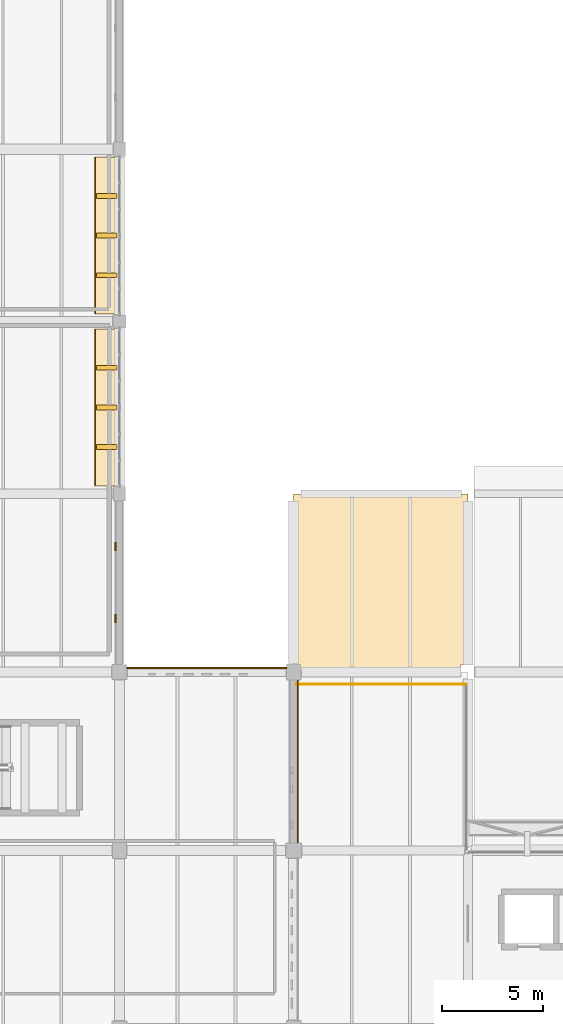
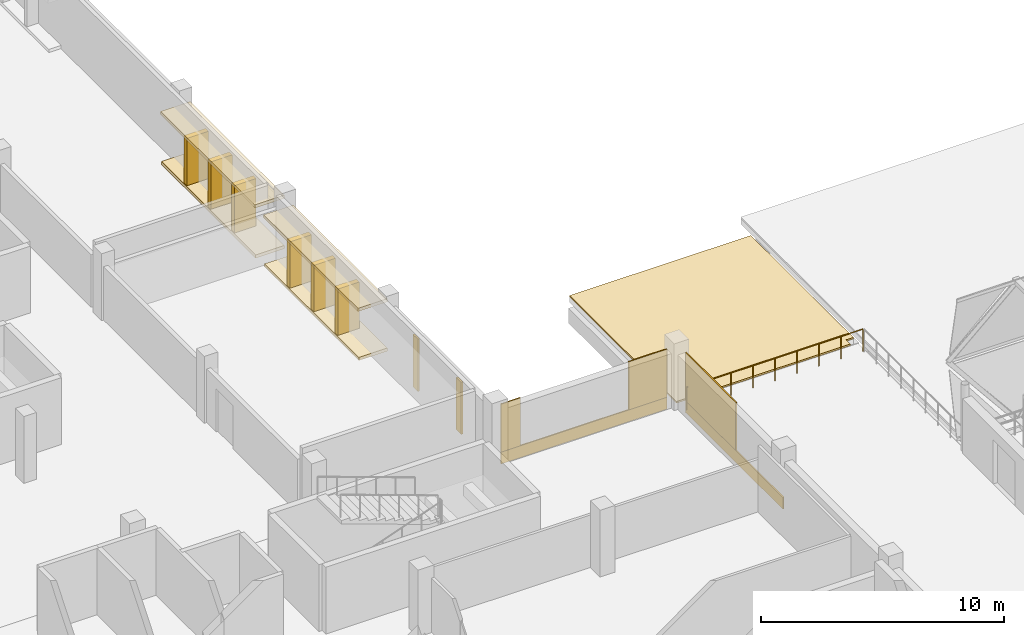
# One storey, part 89 of 93: 12 coverings, 6 shading devices, 1 railing.
"""IFC4 building model written with IfcOpenShell, lengths in metres."""

from ifc_helpers import new_model, si_unit, direction, frame, origin, origin_2d, place, context, subcontext, project, spatial, polyline, rectangle, circle, outline, extrude, material, layer, layer_set, type_object, element, save


model = new_model("IFC4")

# Units and contexts
model_context = context("Model", 3, precision=1e-05, world=origin(), true_north=direction((0.0, 1.0)))
body_context = subcontext(model_context, "Body", "Model", "MODEL_VIEW")
ifc_project = project(units=[si_unit("LENGTHUNIT", "METRE"), si_unit("AREAUNIT", "SQUARE_METRE"), si_unit("VOLUMEUNIT", "CUBIC_METRE"), si_unit("PLANEANGLEUNIT", "RADIAN"), si_unit("MASSUNIT", "GRAM", prefix="KILO")], contexts=[model_context])

# Site, building, storey
site_placement = place(None, origin())
site = spatial("IfcSite", under=ifc_project, at=site_placement, CompositionType="ELEMENT")
building_placement = place(site_placement, origin())
building = spatial("IfcBuilding", under=site, at=building_placement, Name="Varnakota Cinema and Media Centre", CompositionType="ELEMENT")
storey_placement = place(building_placement, frame((0.0, 0.0, 12.0)))
storey = spatial("IfcBuildingStorey", under=building, at=storey_placement, Name="L03", CompositionType="ELEMENT", Elevation=12.0)

# Coverings
ifc_material_1 = material(Name="Precast concrete M40", Category="concrete")
ifc_layer_1 = layer(ifc_material_1, 0.159912109375)
ifc_layer_set_1 = layer_set([ifc_layer_1], Name="Precast concrete M40")
covering_type_1 = type_object("IfcCoveringType", Name="COV-CHAJJA-160", PredefinedType="CLADDING", material=ifc_layer_set_1)
covering_1_placement = place(storey_placement, frame((0.0, 0.0, 2.47509765625)))
element("IfcCovering", 1, at=covering_1_placement, inside=storey, type_object=covering_type_1, Name="L03 Brutalist chajja overhang V5-E-2", PredefinedType="CLADDING", context=body_context, shape_type="SweptSolid", body=[
    extrude(outline(polyline([(34.580078125, 44.389892578125), (34.580078125, 52.135009765625), (33.179931640625, 52.135009765625), (33.179931640625, 44.389892578125), (34.580078125, 44.389892578125)])), origin(), (0.0, 0.0, 1.0), 0.159912109375),
])
covering_2_placement = place(storey_placement, origin())
element("IfcCovering", 2, at=covering_2_placement, inside=storey, type_object=covering_type_1, Name="L03 brise-soleil base plinth V5-E-2", PredefinedType="CLADDING", context=body_context, shape_type="SweptSolid", body=[
    extrude(outline(polyline([(34.580078125, 44.389892578125), (34.580078125, 52.135009765625), (33.219970703125, 52.135009765625), (33.219970703125, 44.389892578125), (34.580078125, 44.389892578125)])), origin(), (0.0, 0.0, 1.0), 0.159912109375),
])
covering_3_placement = place(storey_placement, frame((0.0, 0.0, 2.52490234375)))
element("IfcCovering", 3, at=covering_3_placement, inside=storey, type_object=covering_type_1, Name="L03 Brutalist chajja overhang V5-E-3", PredefinedType="CLADDING", context=body_context, shape_type="SweptSolid", body=[
    extrude(outline(polyline([(34.580078125, 52.864990234375), (34.580078125, 60.610107421875), (33.179931640625, 60.610107421875), (33.179931640625, 52.864990234375), (34.580078125, 52.864990234375)])), origin(), (0.0, 0.0, 1.0), 0.16015625),
])
covering_4_placement = place(storey_placement, origin())
element("IfcCovering", 4, at=covering_4_placement, inside=storey, type_object=covering_type_1, Name="L03 brise-soleil base plinth V5-E-3", PredefinedType="CLADDING", context=body_context, shape_type="SweptSolid", body=[
    extrude(outline(polyline([(34.580078125, 52.864990234375), (34.580078125, 60.610107421875), (33.219970703125, 60.610107421875), (33.219970703125, 52.864990234375), (34.580078125, 52.864990234375)])), origin(), (0.0, 0.0, 1.0), 0.159912109375),
])
ifc_material_2 = material(Name="Pale Tandur limestone cool roof", Category="masonry")
ifc_layer_2 = layer(ifc_material_2, 0.080078125)
ifc_layer_set_2 = layer_set([ifc_layer_2], Name="Pale Tandur limestone cool roof")
covering_type_2 = type_object("IfcCoveringType", Name="COV-COOLROOF-80", PredefinedType="ROOFING", material=ifc_layer_set_2)
covering_5_placement = place(storey_placement, origin())
element("IfcCovering", 5, at=covering_5_placement, inside=storey, type_object=covering_type_2, Name="L03 cool roof membrane ROOF-CHOWK-LINK-W", PredefinedType="ROOFING", context=body_context, shape_type="SweptSolid", body=[
    extrude(outline(polyline([(43.0, 35.219970703125), (51.25, 35.219970703125), (51.25, 35.570068359375), (51.60009765625, 35.570068359375), (51.60009765625, 44.0), (43.0, 44.0), (43.0, 35.219970703125)])), origin(), (0.0, 0.0, 1.0), 0.080078125),
])
ifc_material_3 = material(Name="Pale Tandur limestone cladding", Category="masonry")
ifc_layer_3 = layer(ifc_material_3, 0.06005859375)
ifc_layer_set_3 = layer_set([ifc_layer_3], Name="Pale Tandur limestone cladding")
covering_type_3 = type_object("IfcCoveringType", Name="COV-TANDUR-ASHLAR-60", PredefinedType="CLADDING", material=ifc_layer_set_3)
covering_6_placement = place(storey_placement, frame((43.205078125, 30.78759765625, -0.26025390625), z_axis=(0.0, 0.0, 1.0), x_axis=(0.0, -1.0, 0.0)))
element("IfcCovering", 6, at=covering_6_placement, inside=storey, type_object=covering_type_3, Name="L03 V4 pale Tandur stone spandrel ashlar V4-E-01", PredefinedType="CLADDING", context=body_context, shape_type="SweptSolid", body=[
    extrude(rectangle(XDim=8.02490234375, YDim=0.06005859375, at=origin_2d()), origin(), (0.0, 0.0, 1.0), 0.590087890625),
])
covering_7_placement = place(storey_placement, frame((43.205078125, 32.728759765625, 0.330078125), z_axis=(0.0, 0.0, 1.0), x_axis=(0.0, -1.0, 0.0)))
element("IfcCovering", 7, at=covering_7_placement, inside=storey, type_object=covering_type_3, Name="L03 V4 pale Tandur stone left corner ashlar V4-E-01", PredefinedType="CLADDING", context=body_context, shape_type="SweptSolid", body=[
    extrude(rectangle(XDim=4.142578125, YDim=0.06005859375, at=origin_2d()), origin(), (0.0, 0.0, 1.0), 2.405029296875),
])
covering_8_placement = place(storey_placement, frame((38.71240234375, 35.405029296875, -0.26025390625), z_axis=(0.0, 0.0, 1.0), x_axis=(1.0, 0.0, 0.0)))
element("IfcCovering", 8, at=covering_8_placement, inside=storey, type_object=covering_type_3, Name="L03 V4 pale Tandur stone spandrel ashlar V4-N-01", PredefinedType="CLADDING", context=body_context, shape_type="SweptSolid", body=[
    extrude(rectangle(XDim=7.875, YDim=0.06005859375, at=origin_2d()), origin(), (0.0, 0.0, 1.0), 0.590087890625),
])
covering_9_placement = place(storey_placement, frame((35.233642578125, 35.405029296875, 0.330078125), z_axis=(0.0, 0.0, 1.0), x_axis=(1.0, 0.0, 0.0)))
element("IfcCovering", 9, at=covering_9_placement, inside=storey, type_object=covering_type_3, Name="L03 V4 pale Tandur stone left corner ashlar V4-N-01", PredefinedType="CLADDING", context=body_context, shape_type="SweptSolid", body=[
    extrude(rectangle(XDim=0.91748046875, YDim=0.06005859375, at=origin_2d()), origin(), (0.0, 0.0, 1.0), 2.405029296875),
])
covering_10_placement = place(storey_placement, frame((41.7412109375, 35.405029296875, 0.330078125), z_axis=(0.0, 0.0, 1.0), x_axis=(1.0, 0.0, 0.0)))
element("IfcCovering", 10, at=covering_10_placement, inside=storey, type_object=covering_type_3, Name="L03 V4 pale Tandur stone right corner ashlar V4-N-01", PredefinedType="CLADDING", context=body_context, shape_type="SweptSolid", body=[
    extrude(rectangle(XDim=1.8173828125, YDim=0.06005859375, at=origin_2d()), origin(), (0.0, 0.0, 1.0), 2.405029296875),
])
for number, where, z_axis, x_axis, name in (
    (11, (34.215087890625, 37.8359375, 0.06005859375), (0.0, 0.0, 1.0), (0.0, 1.0, 0.0), "L03 acoustic studio stone relief pilaster V5-E-1.1"),
    (12, (34.215087890625, 41.388916015625, 0.06005859375), (0.0, 0.0, 1.0), (0.0, 1.0, 0.0), "L03 acoustic studio stone relief pilaster V5-E-1.2"),
):
    element("IfcCovering", number, at=place(storey_placement, frame(where, z_axis=z_axis, x_axis=x_axis)), inside=storey, type_object=covering_type_3, Name=name, PredefinedType="CLADDING", context=body_context, shape_type="SweptSolid", body=[
        extrude(rectangle(XDim=0.419921875, YDim=0.080078125, at=origin_2d()), origin(), (0.0, 0.0, 1.0), 2.614990234375),
    ])

# Railing
ifc_material_4 = material(Name="Anodised golden-bronze steel Grade 350 (E350)", Category="steel")
ifc_layer_4 = layer(ifc_material_4, 0.050048828125)
ifc_layer_set_4 = layer_set([ifc_layer_4], Name="Anodised golden-bronze steel Grade 350 (E350)")
railing_type = type_object("IfcRailingType", Name="RAIL-GUARD-1150", PredefinedType="BALUSTRADE", material=ifc_layer_set_4)
railing_placement = place(storey_placement, frame((51.489990234375, 34.60009765625, 0.0)))
element("IfcRailing", 13, at=railing_placement, inside=storey, type_object=railing_type, Name="L03 guard balustrade GRD-L03-TERR-NE-2", PredefinedType="BALUSTRADE", context=body_context, shape_type="SweptSolid", body=[
    extrude(circle(Radius=0.02392578125, at=origin_2d()), frame((0.0, 0.0, 1.1259765625), z_axis=(-1.0, 0.0, 0.0), x_axis=(0.0, -1.0, 0.0)), (0.0, 0.0, 1.0), 8.360107421875),
    extrude(circle(Radius=0.02099609375, at=origin_2d()), origin(), (0.0, 0.0, 1.0), 1.101806640625),
    extrude(circle(Radius=0.02099609375, at=origin_2d()), frame((-1.044921875, 0.0, 0.0)), (0.0, 0.0, 1.0), 1.101806640625),
    extrude(circle(Radius=0.02099609375, at=origin_2d()), frame((-2.090087890625, 0.0, 0.0)), (0.0, 0.0, 1.0), 1.101806640625),
    extrude(circle(Radius=0.02099609375, at=origin_2d()), frame((-3.135009765625, 0.0, 0.0)), (0.0, 0.0, 1.0), 1.101806640625),
    extrude(circle(Radius=0.02099609375, at=origin_2d()), frame((-4.18017578125, 0.0, 0.0)), (0.0, 0.0, 1.0), 1.101806640625),
    extrude(circle(Radius=0.02099609375, at=origin_2d()), frame((-5.22509765625, 0.0, 0.0)), (0.0, 0.0, 1.0), 1.101806640625),
    extrude(circle(Radius=0.02099609375, at=origin_2d()), frame((-6.27001953125, 0.0, 0.0)), (0.0, 0.0, 1.0), 1.101806640625),
    extrude(circle(Radius=0.02099609375, at=origin_2d()), frame((-7.315185546875, 0.0, 0.0)), (0.0, 0.0, 1.0), 1.101806640625),
    extrude(circle(Radius=0.02099609375, at=origin_2d()), frame((-8.360107421875, 0.0, 0.0)), (0.0, 0.0, 1.0), 1.101806640625),
])

# Shading devices
ifc_material_5 = material(Name="Precast concrete M40", Category="concrete")
shading_device_type = type_object("IfcShadingDeviceType", Name="SHD-BRISE-FIN-240", PredefinedType="JALOUSIE", material=ifc_material_5)
for number, where, z_axis, x_axis, name in (
    (14, (33.77001953125, 46.30615234375, 0.14990234375), (0.0, 0.0, 1.0), (0.0, 1.0, 0.0), "L03 vertical concrete brise-soleil fin V5-E-2.1"),
    (15, (33.77001953125, 48.262451171875, 0.14990234375), (0.0, 0.0, 1.0), (0.0, 1.0, 0.0), "L03 vertical concrete brise-soleil fin V5-E-2.2"),
    (16, (33.77001953125, 50.21875, 0.14990234375), (0.0, 0.0, 1.0), (0.0, 1.0, 0.0), "L03 vertical concrete brise-soleil fin V5-E-2.3"),
):
    element("IfcShadingDevice", number, at=place(storey_placement, frame(where, z_axis=z_axis, x_axis=x_axis)), inside=storey, type_object=shading_device_type, Name=name, PredefinedType="JALOUSIE", context=body_context, shape_type="SweptSolid", body=[
        extrude(rectangle(XDim=0.239990234375, YDim=1.02001953125, at=origin_2d()), origin(), (0.0, 0.0, 1.0), 2.3349609375),
    ])
for number, where, z_axis, x_axis, name in (
    (17, (33.77001953125, 54.78125, 0.14990234375), (0.0, 0.0, 1.0), (0.0, 1.0, 0.0), "L03 vertical concrete brise-soleil fin V5-E-3.1"),
    (18, (33.77001953125, 56.737548828125, 0.14990234375), (0.0, 0.0, 1.0), (0.0, 1.0, 0.0), "L03 vertical concrete brise-soleil fin V5-E-3.2"),
    (19, (33.77001953125, 58.693603515625, 0.14990234375), (0.0, 0.0, 1.0), (0.0, 1.0, 0.0), "L03 vertical concrete brise-soleil fin V5-E-3.3"),
):
    element("IfcShadingDevice", number, at=place(storey_placement, frame(where, z_axis=z_axis, x_axis=x_axis)), inside=storey, type_object=shading_device_type, Name=name, PredefinedType="JALOUSIE", context=body_context, shape_type="SweptSolid", body=[
        extrude(rectangle(XDim=0.239990234375, YDim=1.02001953125, at=origin_2d()), origin(), (0.0, 0.0, 1.0), 2.385009765625),
    ])

save(model, "model.ifc")
